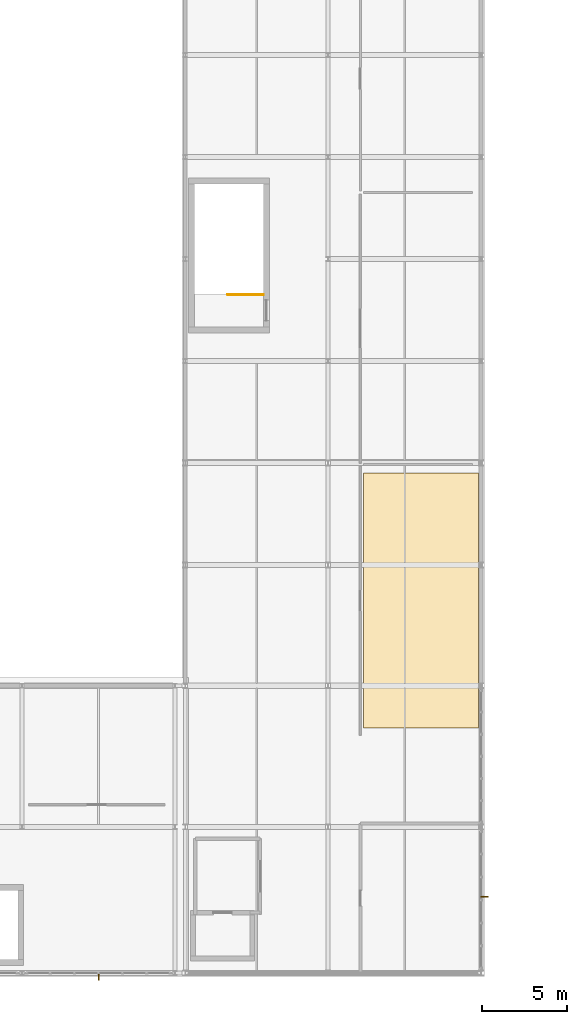
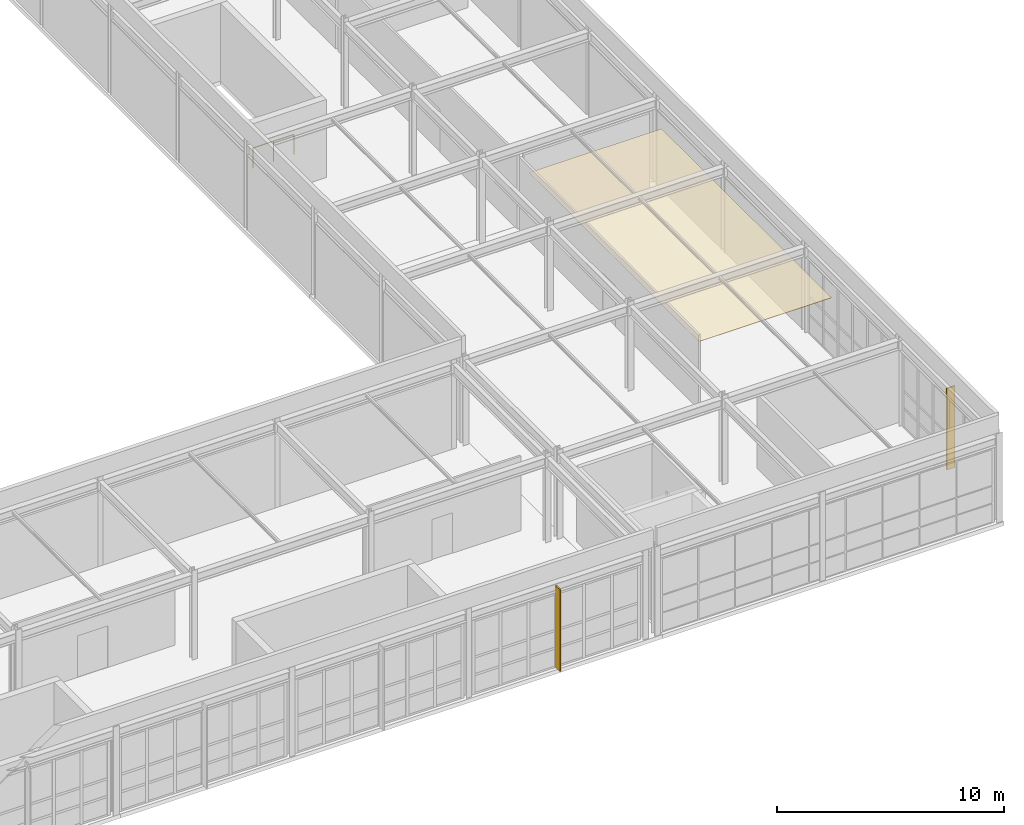
# One storey, part 37 of 38: 2 shading devices, 1 covering, 1 railing.
"""IFC4 building model written with IfcOpenShell, lengths in metres."""

from ifc_helpers import new_model, si_unit, direction, frame, origin, origin_2d, place, context, subcontext, project, spatial, polyline, rectangle, circle, outline, extrude, material, layer, layer_set, type_object, element, save


model = new_model("IFC4")

# Units and contexts
model_context = context("Model", 3, precision=1e-05, world=origin(), true_north=direction((0.0, 1.0)))
body_context = subcontext(model_context, "Body", "Model", "MODEL_VIEW")
ifc_project = project(units=[si_unit("LENGTHUNIT", "METRE"), si_unit("AREAUNIT", "SQUARE_METRE"), si_unit("VOLUMEUNIT", "CUBIC_METRE"), si_unit("PLANEANGLEUNIT", "RADIAN"), si_unit("MASSUNIT", "GRAM", prefix="KILO")], contexts=[model_context])

# Site, building, storey
site_placement = place(None, origin())
site = spatial("IfcSite", under=ifc_project, at=site_placement, CompositionType="ELEMENT")
building_placement = place(site_placement, origin())
building = spatial("IfcBuilding", under=site, at=building_placement, Name="Kaldris Quays Convention Centre", CompositionType="ELEMENT")
storey_placement = place(building_placement, frame((0.0, 0.0, 21.60009765625)))
storey = spatial("IfcBuildingStorey", under=building, at=storey_placement, Name="L04", CompositionType="ELEMENT", Elevation=21.60009765625)

# Covering
ifc_material_1 = material(Name="Mineral fibre acoustic ceiling tile", Category="gypsum")
ifc_layer = layer(ifc_material_1, 0.02490234375)
ifc_layer_set = layer_set([ifc_layer], Name="Mineral fibre acoustic ceiling tile")
covering_type = type_object("IfcCoveringType", Name="ACOUSTIC MINERAL CEILING AC01", PredefinedType="CEILING", material=ifc_layer_set)
covering_placement = place(storey_placement, frame((0.0, 0.0, 3.2998046875)))
element("IfcCovering", 1, at=covering_placement, inside=storey, type_object=covering_type, Name="L04 Acoustic Ceiling Sail 6", PredefinedType="CEILING", context=body_context, shape_type="SweptSolid", body=[
    extrude(outline(polyline([(157.10009765625, 52.39990234375), (163.85009765625, 52.39990234375), (163.85009765625, 67.39990234375), (157.10009765625, 67.39990234375), (157.10009765625, 52.39990234375)])), origin(), (0.0, 0.0, 1.0), 0.025146484375),
])

# Railing
ifc_material_2 = material(Name="Steel S355J2", Category="steel")
railing_type = type_object("IfcRailingType", Name="INTERIOR GUARDRAIL GR01", PredefinedType="GUARDRAIL", material=ifc_material_2)
railing_placement = place(storey_placement, frame((151.199951171875, 77.89990234375, 0.0)))
element("IfcRailing", 2, at=railing_placement, inside=storey, type_object=railing_type, Name="L04 ST14 Top Well Guardrail 1", PredefinedType="GUARDRAIL", context=body_context, shape_type="SweptSolid", body=[
    extrude(circle(Radius=0.02392578125, at=origin_2d()), frame((0.0, 0.0, 1.076171875), z_axis=(-1.0, 0.0, 0.0), x_axis=(0.0, -1.0, 0.0)), (0.0, 0.0, 1.0), 2.099853515625),
    extrude(circle(Radius=0.02099609375, at=origin_2d()), origin(), (0.0, 0.0, 1.0), 1.052001953125),
    extrude(circle(Radius=0.02099609375, at=origin_2d()), frame((-1.0498046875, 0.0, 0.0)), (0.0, 0.0, 1.0), 1.052001953125),
    extrude(circle(Radius=0.02099609375, at=origin_2d()), frame((-2.099853515625, 0.0, 0.0)), (0.0, 0.0, 1.0), 1.052001953125),
])

# Shading devices
ifc_material_3 = material(Name="Anodized aluminium AW-6060", Category="aluminium")
shading_device_type = type_object("IfcShadingDeviceType", Name="SOLAR SHADING FIN SH01", PredefinedType="USERDEFINED", material=ifc_material_3)
shading_device_1_placement = place(storey_placement, frame((141.5, 37.800048828125, 0.0), z_axis=(0.0, 0.0, 1.0), x_axis=(1.0, 0.0, 0.0)))
element("IfcShadingDevice", 3, at=shading_device_1_placement, inside=storey, type_object=shading_device_type, Name="L04 Anodized Solar Fin 13", ObjectType="SOLAR FIN", PredefinedType="USERDEFINED", context=body_context, shape_type="SweptSolid", body=[
    extrude(rectangle(XDim=0.06005859375, YDim=0.419921875, at=origin_2d()), origin(), (0.0, 0.0, 1.0), 4.39990234375),
])
shading_device_2_placement = place(storey_placement, frame((164.199951171875, 42.5, 0.0), z_axis=(0.0, 0.0, 1.0), x_axis=(1.0, 0.0, 0.0)))
element("IfcShadingDevice", 4, at=shading_device_2_placement, inside=storey, type_object=shading_device_type, Name="L04 Anodized Solar Fin 14", ObjectType="SOLAR FIN", PredefinedType="USERDEFINED", context=body_context, shape_type="SweptSolid", body=[
    extrude(rectangle(XDim=0.419921875, YDim=0.06005859375, at=origin_2d()), origin(), (0.0, 0.0, 1.0), 4.39990234375),
])

save(model, "model.ifc")
